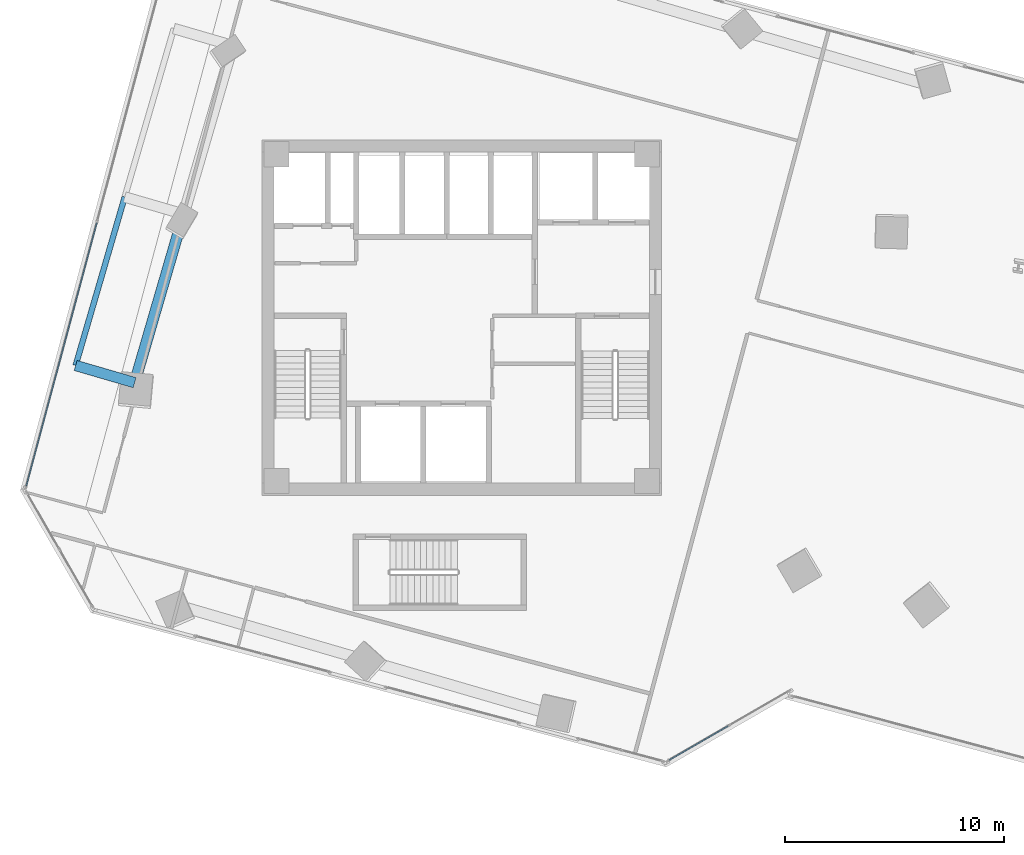
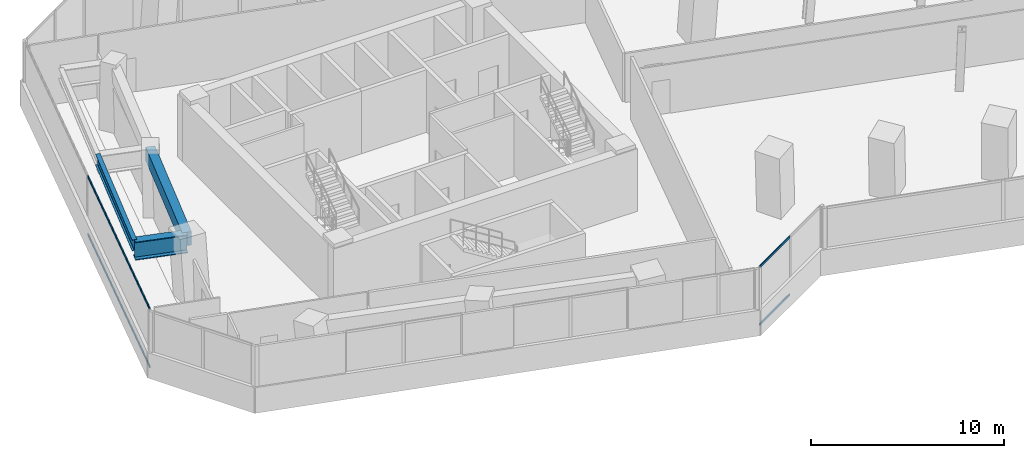
# One storey, part 5 of 26: 4 members, 3 beams, 2 elements without a shape of their own.
"""IFC4 building model written with IfcOpenShell, lengths in metres."""

from ifc_helpers import new_model, si_unit, direction, frame, origin, origin_2d, place, context, subcontext, project, spatial, rectangle, hollow_rectangle, i_section, extrude, source, transform, mapped, material, material_profile, profile_set, type_object, element, aggregate, save


model = new_model("IFC4")

# Units and contexts
model_context = context("Model", 3, precision=1e-05, world=origin(), true_north=direction((0.0, 1.0)))
body_context = subcontext(model_context, "Body", "Model", "MODEL_VIEW")
ifc_project = project(units=[si_unit("LENGTHUNIT", "METRE"), si_unit("AREAUNIT", "SQUARE_METRE"), si_unit("VOLUMEUNIT", "CUBIC_METRE"), si_unit("PLANEANGLEUNIT", "RADIAN"), si_unit("MASSUNIT", "GRAM", prefix="KILO")], contexts=[model_context])

# Site, building, storey
site_placement = place(None, origin())
site = spatial("IfcSite", under=ifc_project, at=site_placement, CompositionType="ELEMENT")
building_placement = place(site_placement, origin())
building = spatial("IfcBuilding", under=site, at=building_placement, Name="Torre Montelarca", CompositionType="ELEMENT")
storey_placement = place(building_placement, frame((0.0, 0.0, 104.199951171875)))
storey = spatial("IfcBuildingStorey", under=building, at=storey_placement, Name="L23", CompositionType="ELEMENT", Elevation=104.199951171875)

# Beams
ifc_material_1 = material(Name="Concrete C55/67", Category="concrete")
ifc_material_profile_1 = material_profile(ifc_material_1, rectangle(XDim=0.5, YDim=0.85009765625, at=origin_2d()), Name="RCB500X850", Category="concrete")
ifc_profile_set_1 = profile_set([ifc_material_profile_1], Name="Concrete C55/67")
beam_type_1 = type_object("IfcBeamType", Name="BM-SP-RC850-EXT", PredefinedType="SPANDREL", material=ifc_profile_set_1)
shared_shape_1 = source(origin(), body_context, "Body", "SweptSolid", [
    extrude(rectangle(XDim=0.5, YDim=0.85009765625, at=origin_2d()), origin(), (0.0, 0.0, 1.0), 8.0),
])
beam_1_placement = place(storey_placement, frame((3.08447265625, 29.03466796875, 3.53515625), z_axis=(0.279844138078, 0.960045445999, 0.0), x_axis=(-0.960045445999, 0.279844138078, 0.0)))
element("IfcBeam", 1, at=beam_1_placement, inside=storey, type_object=beam_type_1, Name="L23 Grid Girder Y 24.0-32.0 at X=4.7", PredefinedType="SPANDREL", context=body_context, shape_type="MappedRepresentation", body=[
    mapped(shared_shape_1, transform((0.0, 0.0, 0.0), scale=1.0)),
])
ifc_material_2 = material(Name="Steel ASTM A992 Grade 50", Category="steel")
ifc_material_profile_2 = material_profile(ifc_material_2, i_section(OverallWidth=0.256103515625, OverallDepth=0.693115234375, WebThickness=0.014404296875, FlangeThickness=0.023681640625, FilletRadius=0.01806640625, at=origin_2d()), Name="W690X170", Category="steel")
ifc_profile_set_2 = profile_set([ifc_material_profile_2], Name="Steel ASTM A992 Grade 50")
beam_type_2 = type_object("IfcBeamType", Name="BM-G-W690-EXT", PredefinedType="BEAM", material=ifc_profile_set_2)
shared_shape_2 = source(origin(), body_context, "Body", "SweptSolid", [
    extrude(i_section(OverallWidth=0.256103515625, OverallDepth=0.693115234375, WebThickness=0.014404296875, FlangeThickness=0.023681640625, FilletRadius=0.01806640625, at=origin_2d()), origin(), (0.0, 0.0, 1.0), 8.0),
])
beam_2_placement = place(storey_placement, frame((0.396484375, 29.818115234375, 3.614013671875), z_axis=(0.279816010262, 0.960053644544, 0.0), x_axis=(-0.960053644544, 0.279816010262, 0.0)))
element("IfcBeam", 2, at=beam_2_placement, inside=storey, type_object=beam_type_2, Name="L23 Sliding Tray Edge Girder West 24.0-32.0m (FLR)", PredefinedType="BEAM", context=body_context, shape_type="MappedRepresentation", body=[
    mapped(shared_shape_2, transform((0.0, 0.0, 0.0), scale=1.0)),
])
ifc_material_3 = material(Name="Steel ASTM A572 Grade 50", Category="steel")
ifc_material_profile_3 = material_profile(ifc_material_3, i_section(OverallWidth=0.47998046875, OverallDepth=1.14990234375, WebThickness=0.02197265625, FlangeThickness=0.044921875, at=origin_2d()), Name="PG1150X480X22X45", Category="steel")
ifc_profile_set_3 = profile_set([ifc_material_profile_3], Name="Steel ASTM A572 Grade 50")
beam_type_3 = type_object("IfcBeamType", Name="BM-CG-PG1400-EXT", PredefinedType="USERDEFINED", material=ifc_profile_set_3)
shared_shape_3 = source(origin(), body_context, "Body", "SweptSolid", [
    extrude(i_section(OverallWidth=0.47998046875, OverallDepth=1.14990234375, WebThickness=0.02197265625, FlangeThickness=0.044921875, at=origin_2d()), origin(), (0.0, 0.0, 1.0), 2.7998046875),
])
beam_3_placement = place(storey_placement, frame((3.08447265625, 29.03466796875, 3.385009765625), z_axis=(-0.960052720473, 0.279819180745, 0.0), x_axis=(-0.279819180745, -0.960052720473, 0.0)))
element("IfcBeam", 3, at=beam_3_placement, inside=storey, type_object=beam_type_3, Name="L23 Sliding Tray Cantilever Girder West Y=24.0m (FLR)", ObjectType="CANTILEVER GIRDER", PredefinedType="USERDEFINED", context=body_context, shape_type="MappedRepresentation", body=[
    mapped(shared_shape_3, transform((0.0, 0.0, 0.0), scale=1.0)),
])

# Curtain wall, members
ifc_material_4 = material(Name="Insulated low-E laminated glass", Category="glass")
curtain_wall_type = type_object("IfcCurtainWallType", Name="CW-SYS-Z1", PredefinedType="USERDEFINED", material=ifc_material_4)
curtain_wall_1_placement = place(storey_placement, origin())
curtain_wall_1 = element("IfcCurtainWall", 4, at=curtain_wall_1_placement, inside=storey, type_object=curtain_wall_type, Name="L23 Curtain Wall Run CW-T3-L23-E02-B1", ObjectType="UNITISED GLAZING", PredefinedType="USERDEFINED")
ifc_material_5 = material(Name="Anodised aluminium AA 6063-T6", Category="aluminium")
ifc_material_profile_4 = material_profile(ifc_material_5, hollow_rectangle(XDim=0.06494140625, YDim=0.139892578125, WallThickness=0.00390625, InnerFilletRadius=0.00390625, OuterFilletRadius=0.008056640625, at=origin_2d()), Name="ALU65X140X4", Category="aluminium")
ifc_profile_set_4 = profile_set([ifc_material_profile_4], Name="Anodised aluminium AA 6063-T6")
member_type = type_object("IfcMemberType", Name="CWT-ALU140", PredefinedType="USERDEFINED", material=ifc_profile_set_4)
shared_shape_4 = source(origin(), body_context, "Body", "SweptSolid", [
    extrude(hollow_rectangle(XDim=0.06494140625, YDim=0.139892578125, WallThickness=0.00390625, InnerFilletRadius=0.00390625, OuterFilletRadius=0.008056640625, at=origin_2d()), origin(), (0.0, 0.0, 1.0), 3.1025390625),
])
member_1_placement = place(storey_placement, frame((27.452880859375, 11.826904296875, 0.032470703125), z_axis=(0.866016534331, 0.50001536203, 0.0), x_axis=(-0.50001536203, 0.866016534331, 0.0)))
member_1 = element("IfcMember", 5, at=member_1_placement, type_object=member_type, Name="CW transom 1.1", ObjectType="TRANSOM", PredefinedType="USERDEFINED", context=body_context, shape_type="MappedRepresentation", body=[
    mapped(shared_shape_4, transform((0.0, 0.0, 0.0), scale=1.0)),
])
member_2_placement = place(storey_placement, frame((27.452880859375, 11.826904296875, 3.6875), z_axis=(0.866016534331, 0.50001536203, 0.0), x_axis=(-0.50001536203, 0.866016534331, 0.0)))
member_2 = element("IfcMember", 6, at=member_2_placement, type_object=member_type, Name="CW transom 1.2", ObjectType="TRANSOM", PredefinedType="USERDEFINED", context=body_context, shape_type="MappedRepresentation", body=[
    mapped(shared_shape_4, transform((0.0, 0.0, 0.0), scale=1.0)),
])
aggregate(curtain_wall_1, [member_1, member_2])

curtain_wall_2_placement = place(storey_placement, origin())
curtain_wall_2 = element("IfcCurtainWall", 7, at=curtain_wall_2_placement, inside=storey, type_object=curtain_wall_type, Name="L23 Curtain Wall Run CW-T3-L23-E10-B1", ObjectType="UNITISED GLAZING", PredefinedType="USERDEFINED")
shared_shape_5 = source(origin(), body_context, "Body", "SweptSolid", [
    extrude(hollow_rectangle(XDim=0.06494140625, YDim=0.139892578125, WallThickness=0.00390625, InnerFilletRadius=0.00390625, OuterFilletRadius=0.008056640625, at=origin_2d()), origin(), (0.0, 0.0, 1.0), 12.436767578125),
])
member_3_placement = place(storey_placement, frame((1.363525390625, 36.32666015625, 0.032470703125), z_axis=(-0.258810985945, -0.965927985698, 0.0), x_axis=(0.965927985698, -0.258810985945, 0.0)))
member_3 = element("IfcMember", 8, at=member_3_placement, type_object=member_type, Name="CW transom 2.1", ObjectType="TRANSOM", PredefinedType="USERDEFINED", context=body_context, shape_type="MappedRepresentation", body=[
    mapped(shared_shape_5, transform((0.0, 0.0, 0.0), scale=1.0)),
])
member_4_placement = place(storey_placement, frame((1.363525390625, 36.32666015625, 3.6875), z_axis=(-0.258810985945, -0.965927985698, 0.0), x_axis=(0.965927985698, -0.258810985945, 0.0)))
member_4 = element("IfcMember", 9, at=member_4_placement, type_object=member_type, Name="CW transom 2.2", ObjectType="TRANSOM", PredefinedType="USERDEFINED", context=body_context, shape_type="MappedRepresentation", body=[
    mapped(shared_shape_5, transform((0.0, 0.0, 0.0), scale=1.0)),
])
aggregate(curtain_wall_2, [member_3, member_4])

save(model, "model.ifc")
